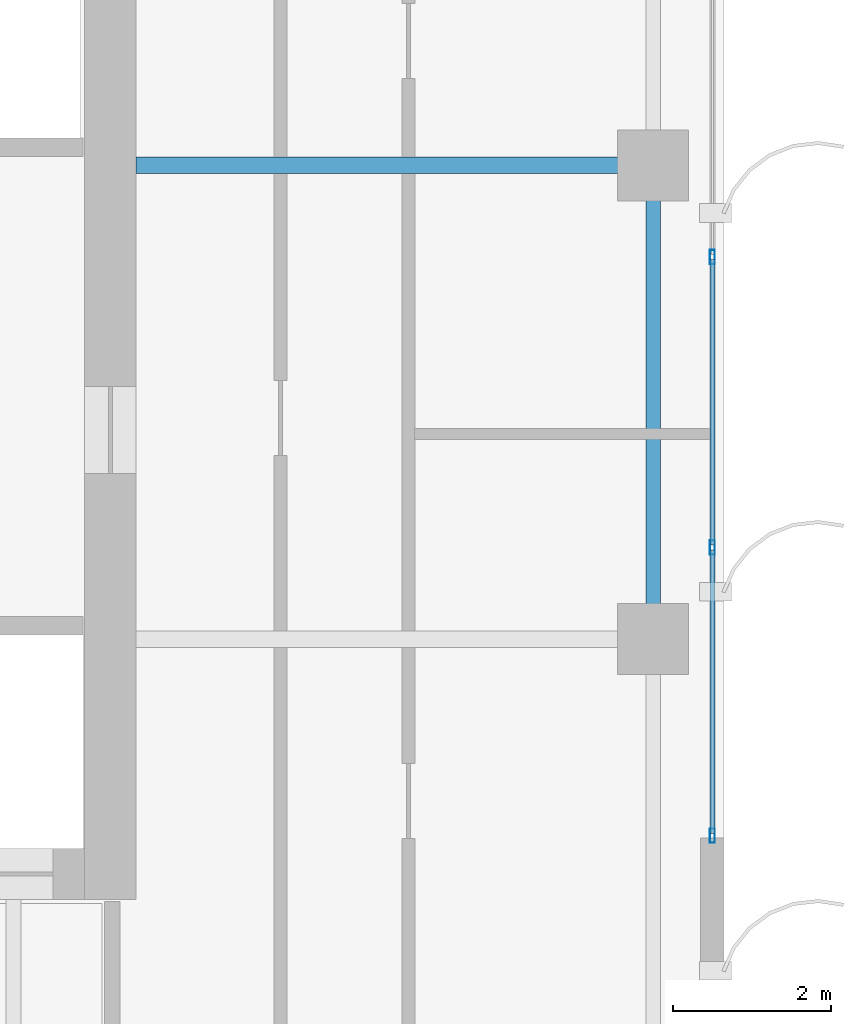
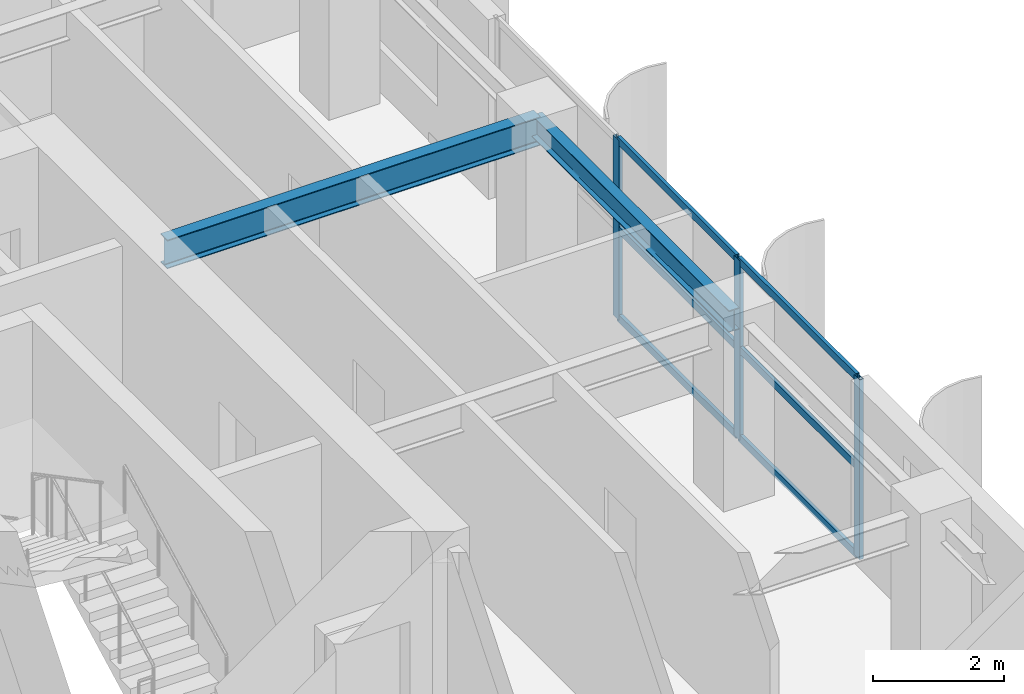
# One storey, part 11 of 22: 9 members, 2 beams, 1 element without a shape of its own.
"""IFC4 building model written with IfcOpenShell, lengths in metres."""

from ifc_helpers import new_model, si_unit, direction, frame, origin, origin_2d, place, context, subcontext, project, spatial, hollow_rectangle, i_section, extrude, source, transform, mapped, material, layer, layer_set, material_profile, profile_set, type_object, element, aggregate, save


model = new_model("IFC4")

# Units and contexts
model_context = context("Model", 3, precision=1e-05, world=origin(), true_north=direction((0.0, 1.0)))
body_context = subcontext(model_context, "Body", "Model", "MODEL_VIEW")
ifc_project = project(units=[si_unit("LENGTHUNIT", "METRE"), si_unit("AREAUNIT", "SQUARE_METRE"), si_unit("VOLUMEUNIT", "CUBIC_METRE"), si_unit("PLANEANGLEUNIT", "RADIAN"), si_unit("MASSUNIT", "GRAM", prefix="KILO")], contexts=[model_context])

# Site, building, storey
site_placement = place(None, origin())
site = spatial("IfcSite", under=ifc_project, at=site_placement, CompositionType="ELEMENT")
building_placement = place(site_placement, origin())
building = spatial("IfcBuilding", under=site, at=building_placement, Name="Khoralis Quay Care Tower", CompositionType="ELEMENT")
storey_placement = place(building_placement, frame((0.0, 0.0, 195.300048828125)))
storey = spatial("IfcBuildingStorey", under=building, at=storey_placement, Name="L51", CompositionType="ELEMENT", Elevation=195.300048828125)

# Beams
ifc_material_1 = material(Name="Steel S355", Category="steel")
ifc_material_profile_1 = material_profile(ifc_material_1, i_section(OverallWidth=0.179931640625, OverallDepth=0.39990234375, WebThickness=0.008544921875, FlangeThickness=0.013427734375, FilletRadius=0.02099609375, at=origin_2d()), Name="Steel S355")
ifc_profile_set_1 = profile_set([ifc_material_profile_1], Name="Steel S355")
beam_type_1 = type_object("IfcBeamType", Name="BM-IPE400", PredefinedType="SPANDREL", material=ifc_profile_set_1)
shared_shape_1 = source(origin(), body_context, "Body", "SweptSolid", [
    extrude(i_section(OverallWidth=0.179931640625, OverallDepth=0.39990234375, WebThickness=0.008544921875, FlangeThickness=0.013427734375, FilletRadius=0.02099609375, at=origin_2d()), origin(), (0.0, 0.0, 1.0), 6.0),
])
beam_1_placement = place(storey_placement, frame((44.10009765625, 18.0, 3.139892578125), z_axis=(0.0, 1.0, 0.0), x_axis=(-1.0, 0.0, 0.0)))
element("IfcBeam", 1, at=beam_1_placement, inside=storey, type_object=beam_type_1, Name="BM-TSP-L51-12", PredefinedType="SPANDREL", context=body_context, shape_type="MappedRepresentation", body=[
    mapped(shared_shape_1, transform((0.0, 0.0, 0.0), scale=1.0)),
])
ifc_material_profile_2 = material_profile(ifc_material_1, i_section(OverallWidth=0.208984375, OverallDepth=0.532958984375, WebThickness=0.01025390625, FlangeThickness=0.015625, FilletRadius=0.01611328125, at=origin_2d()), Name="Steel S355")
ifc_profile_set_2 = profile_set([ifc_material_profile_2], Name="Steel S355")
beam_type_2 = type_object("IfcBeamType", Name="BM-W530X92", PredefinedType="BEAM", material=ifc_profile_set_2)
shared_shape_2 = source(origin(), body_context, "Body", "SweptSolid", [
    extrude(i_section(OverallWidth=0.208984375, OverallDepth=0.532958984375, WebThickness=0.01025390625, FlangeThickness=0.015625, FilletRadius=0.01611328125, at=origin_2d()), origin(), (0.0, 0.0, 1.0), 6.552001953125),
])
beam_2_placement = place(storey_placement, frame((37.548095703125, 24.0, 3.073486328125), z_axis=(1.0, 0.0, 0.0), x_axis=(0.0, 1.0, 0.0)))
element("IfcBeam", 2, at=beam_2_placement, inside=storey, type_object=beam_type_2, Name="BM-TGXE-L51-240", PredefinedType="BEAM", context=body_context, shape_type="MappedRepresentation", body=[
    mapped(shared_shape_2, transform((0.0, 0.0, 0.0), scale=1.0)),
])

# Curtain wall, members
ifc_material_2 = material(Name="Pale anodised aluminium", Category="aluminium")
ifc_layer = layer(ifc_material_2, 0.159912109375)
ifc_layer_set = layer_set([ifc_layer], Name="Pale anodised aluminium")
curtain_wall_type = type_object("IfcCurtainWallType", Name="CW-SYS-Z3", PredefinedType="NOTDEFINED", material=ifc_layer_set)
curtain_wall_placement = place(storey_placement, origin())
curtain_wall = element("IfcCurtainWall", 3, at=curtain_wall_placement, inside=storey, type_object=curtain_wall_type, Name="L51 Unitised Curtain Wall CW-L51-P2-E5", PredefinedType="NOTDEFINED")
ifc_material_profile_3 = material_profile(ifc_material_2, hollow_rectangle(XDim=0.06494140625, YDim=0.179931640625, WallThickness=0.00390625, at=origin_2d()), Name="Pale anodised aluminium")
ifc_profile_set_3 = profile_set([ifc_material_profile_3], Name="Pale anodised aluminium")
member_type_1 = type_object("IfcMemberType", Name="CW-MUL-180", PredefinedType="MULLION", material=ifc_profile_set_3)
shared_shape_3 = source(origin(), body_context, "Body", "SweptSolid", [
    extrude(hollow_rectangle(XDim=0.06494140625, YDim=0.179931640625, WallThickness=0.00390625, at=origin_2d()), origin(), (0.0, 0.0, 1.0), 3.33984375),
])
member_1_placement = place(storey_placement, frame((44.85009765625, 15.510009765625, 0.0), z_axis=(0.0, 0.0, 1.0), x_axis=(-1.0, 0.0, 0.0)))
member_1 = element("IfcMember", 4, at=member_1_placement, type_object=member_type_1, Name="CW3 mullion 1", PredefinedType="MULLION", context=body_context, shape_type="MappedRepresentation", body=[
    mapped(shared_shape_3, transform((0.0, 0.0, 0.0), scale=1.0)),
])
member_2_placement = place(storey_placement, frame((44.85009765625, 19.159912109375, 0.0), z_axis=(0.0, 0.0, 1.0), x_axis=(-1.0, 0.0, 0.0)))
member_2 = element("IfcMember", 5, at=member_2_placement, type_object=member_type_1, Name="CW3 mullion 2", PredefinedType="MULLION", context=body_context, shape_type="MappedRepresentation", body=[
    mapped(shared_shape_3, transform((0.0, 0.0, 0.0), scale=1.0)),
])
member_3_placement = place(storey_placement, frame((44.85009765625, 22.840087890625, 0.0), z_axis=(0.0, 0.0, 1.0), x_axis=(-1.0, 0.0, 0.0)))
member_3 = element("IfcMember", 6, at=member_3_placement, type_object=member_type_1, Name="CW3 mullion 3", PredefinedType="MULLION", context=body_context, shape_type="MappedRepresentation", body=[
    mapped(shared_shape_3, transform((0.0, 0.0, 0.0), scale=1.0)),
])
ifc_material_profile_4 = material_profile(ifc_material_2, hollow_rectangle(XDim=0.06005859375, YDim=0.139892578125, WallThickness=0.00390625, at=origin_2d()), Name="Pale anodised aluminium")
ifc_profile_set_4 = profile_set([ifc_material_profile_4], Name="Pale anodised aluminium")
member_type_2 = type_object("IfcMemberType", Name="CW-TRN-140", PredefinedType="USERDEFINED", material=ifc_profile_set_4)
shared_shape_4 = source(origin(), body_context, "Body", "SweptSolid", [
    extrude(hollow_rectangle(XDim=0.06005859375, YDim=0.139892578125, WallThickness=0.00390625, at=origin_2d()), origin(), (0.0, 0.0, 1.0), 3.58984375),
])
member_4_placement = place(storey_placement, frame((44.85009765625, 15.5400390625, 0.030029296875), z_axis=(0.0, 1.0, 0.0), x_axis=(-1.0, 0.0, 0.0)))
member_4 = element("IfcMember", 7, at=member_4_placement, type_object=member_type_2, Name="CW3 transom 1.1", ObjectType="TRANSOM", PredefinedType="USERDEFINED", context=body_context, shape_type="MappedRepresentation", body=[
    mapped(shared_shape_4, transform((0.0, 0.0, 0.0), scale=1.0)),
])
member_5_placement = place(storey_placement, frame((44.85009765625, 15.5400390625, 1.669921875), z_axis=(0.0, 1.0, 0.0), x_axis=(-1.0, 0.0, 0.0)))
member_5 = element("IfcMember", 8, at=member_5_placement, type_object=member_type_2, Name="CW3 transom 1.2", ObjectType="TRANSOM", PredefinedType="USERDEFINED", context=body_context, shape_type="MappedRepresentation", body=[
    mapped(shared_shape_4, transform((0.0, 0.0, 0.0), scale=1.0)),
])
member_6_placement = place(storey_placement, frame((44.85009765625, 15.5400390625, 3.31005859375), z_axis=(0.0, 1.0, 0.0), x_axis=(-1.0, 0.0, 0.0)))
member_6 = element("IfcMember", 9, at=member_6_placement, type_object=member_type_2, Name="CW3 transom 1.3", ObjectType="TRANSOM", PredefinedType="USERDEFINED", context=body_context, shape_type="MappedRepresentation", body=[
    mapped(shared_shape_4, transform((0.0, 0.0, 0.0), scale=1.0)),
])
shared_shape_5 = source(origin(), body_context, "Body", "SweptSolid", [
    extrude(hollow_rectangle(XDim=0.06005859375, YDim=0.139892578125, WallThickness=0.00390625, at=origin_2d()), origin(), (0.0, 0.0, 1.0), 3.6201171875),
])
member_7_placement = place(storey_placement, frame((44.85009765625, 19.18994140625, 0.030029296875), z_axis=(0.0, 1.0, 0.0), x_axis=(-1.0, 0.0, 0.0)))
member_7 = element("IfcMember", 10, at=member_7_placement, type_object=member_type_2, Name="CW3 transom 2.1", ObjectType="TRANSOM", PredefinedType="USERDEFINED", context=body_context, shape_type="MappedRepresentation", body=[
    mapped(shared_shape_5, transform((0.0, 0.0, 0.0), scale=1.0)),
])
member_8_placement = place(storey_placement, frame((44.85009765625, 19.18994140625, 1.669921875), z_axis=(0.0, 1.0, 0.0), x_axis=(-1.0, 0.0, 0.0)))
member_8 = element("IfcMember", 11, at=member_8_placement, type_object=member_type_2, Name="CW3 transom 2.2", ObjectType="TRANSOM", PredefinedType="USERDEFINED", context=body_context, shape_type="MappedRepresentation", body=[
    mapped(shared_shape_5, transform((0.0, 0.0, 0.0), scale=1.0)),
])
member_9_placement = place(storey_placement, frame((44.85009765625, 19.18994140625, 3.31005859375), z_axis=(0.0, 1.0, 0.0), x_axis=(-1.0, 0.0, 0.0)))
member_9 = element("IfcMember", 12, at=member_9_placement, type_object=member_type_2, Name="CW3 transom 2.3", ObjectType="TRANSOM", PredefinedType="USERDEFINED", context=body_context, shape_type="MappedRepresentation", body=[
    mapped(shared_shape_5, transform((0.0, 0.0, 0.0), scale=1.0)),
])
aggregate(curtain_wall, [member_1, member_2, member_3, member_4, member_5, member_6, member_7, member_8, member_9])

save(model, "model.ifc")
